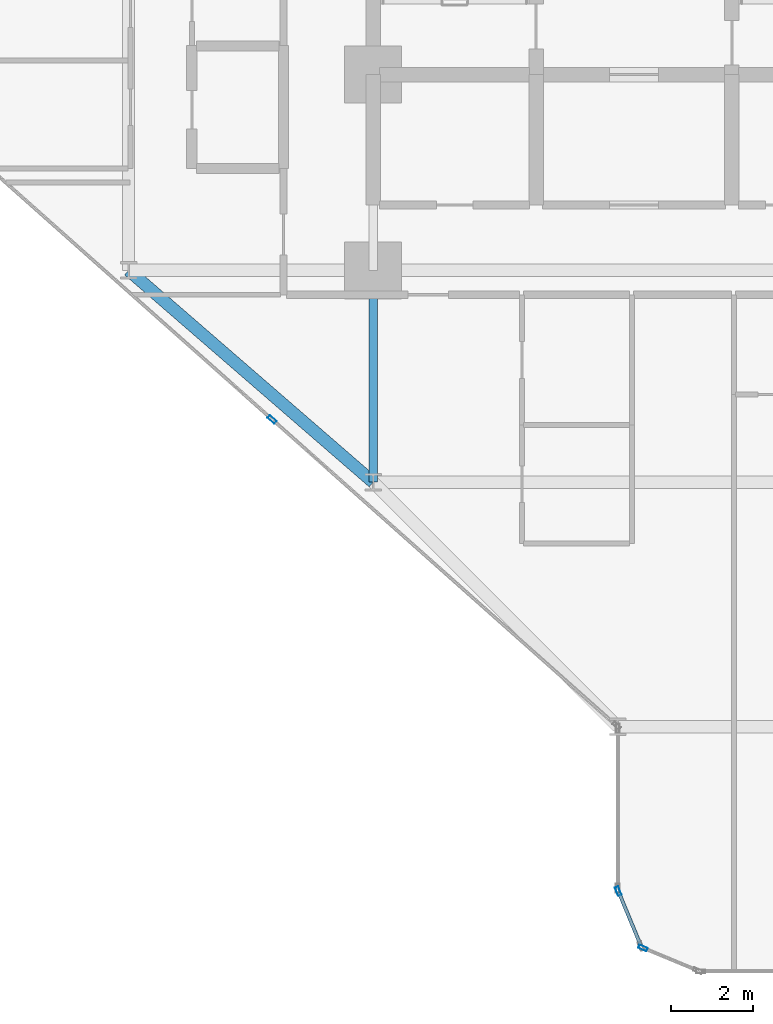
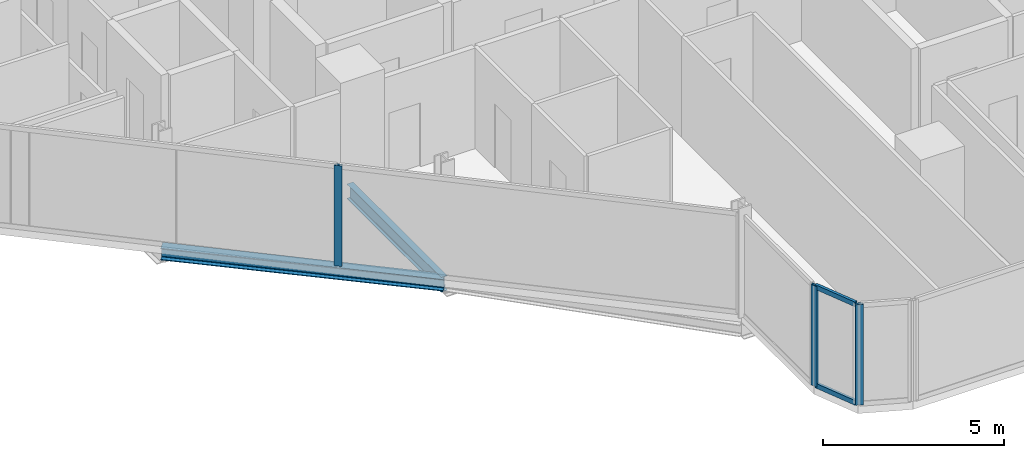
# One storey, part 2 of 33: 5 members, 2 beams, 3 elements without a shape of their own.
"""IFC4 building model written with IfcOpenShell, lengths in metres."""

from ifc_helpers import new_model, si_unit, direction, frame, origin, origin_2d, place, context, subcontext, project, spatial, hollow_rectangle, i_section, extrude, material, layer, layer_set, material_profile, profile_set, type_object, element, aggregate, save


model = new_model("IFC4")

# Units and contexts
model_context = context("Model", 3, precision=1e-05, world=origin(), true_north=direction((0.0, 1.0)))
body_context = subcontext(model_context, "Body", "Model", "MODEL_VIEW")
ifc_project = project(units=[si_unit("LENGTHUNIT", "METRE"), si_unit("AREAUNIT", "SQUARE_METRE"), si_unit("VOLUMEUNIT", "CUBIC_METRE"), si_unit("PLANEANGLEUNIT", "RADIAN"), si_unit("MASSUNIT", "GRAM", prefix="KILO")], contexts=[model_context])

# Site, building, storey
site_placement = place(None, origin())
site = spatial("IfcSite", under=ifc_project, at=site_placement, CompositionType="ELEMENT")
building_placement = place(site_placement, origin())
building = spatial("IfcBuilding", under=site, at=building_placement, Name="Keshet Zoharim Tower", CompositionType="ELEMENT")
storey_placement = place(building_placement, frame((0.0, 0.0, 27.699951171875)))
storey = spatial("IfcBuildingStorey", under=building, at=storey_placement, Name="L05", CompositionType="ELEMENT", Elevation=27.699951171875)

# Beams
ifc_material_1 = material(Name="Steel S355", Category="steel")
ifc_material_profile_1 = material_profile(ifc_material_1, i_section(OverallWidth=0.199951171875, OverallDepth=0.5, WebThickness=0.01025390625, FlangeThickness=0.01611328125, FilletRadius=0.02099609375, at=origin_2d()), Name="IPE500")
ifc_profile_set_1 = profile_set([ifc_material_profile_1], Name="Steel S355")
beam_type_1 = type_object("IfcBeamType", Name="BM-PRI-IP500", PredefinedType="BEAM", material=ifc_profile_set_1)
beam_1_placement = place(storey_placement, frame((15.0, 12.699951171875, -0.56494140625), z_axis=(0.0, 1.0, 0.0), x_axis=(-1.0, 0.0, 0.0)))
element("IfcBeam", 1, at=beam_1_placement, inside=storey, type_object=beam_type_1, Name="L05 Primary Girder Y-002", PredefinedType="BEAM", context=body_context, shape_type="SweptSolid", body=[
    extrude(i_section(OverallWidth=0.199951171875, OverallDepth=0.5, WebThickness=0.01025390625, FlangeThickness=0.01611328125, FilletRadius=0.02099609375, at=origin_2d()), origin(), (0.0, 0.0, 1.0), 5.199951171875),
])
ifc_material_profile_2 = material_profile(ifc_material_1, i_section(OverallWidth=0.300048828125, OverallDepth=0.39990234375, WebThickness=0.013427734375, FlangeThickness=0.02392578125, FilletRadius=0.027099609375, at=origin_2d()), Name="HEB400")
ifc_profile_set_2 = profile_set([ifc_material_profile_2], Name="Steel S355")
beam_type_2 = type_object("IfcBeamType", Name="BM-SPN-HB400", PredefinedType="SPANDREL", material=ifc_profile_set_2)
beam_2_placement = place(storey_placement, frame((9.0, 17.89990234375, -0.514892578125), z_axis=(0.755692126483, -0.654927026447, 0.0), x_axis=(0.654927026447, 0.755692126483, 0.0)))
element("IfcBeam", 2, at=beam_2_placement, inside=storey, type_object=beam_type_2, Name="L05 Perimeter Spandrel Beam 02", PredefinedType="SPANDREL", context=body_context, shape_type="SweptSolid", body=[
    extrude(i_section(OverallWidth=0.300048828125, OverallDepth=0.39990234375, WebThickness=0.013427734375, FlangeThickness=0.02392578125, FilletRadius=0.027099609375, at=origin_2d()), origin(), (0.0, 0.0, 1.0), 7.939697265625),
])

# Curtain wall, member
ifc_material_2 = material(Name="Aluminium 6063-T6", Category="aluminium")
ifc_layer = layer(ifc_material_2, 0.179931640625)
ifc_layer_set = layer_set([ifc_layer], Name="Aluminium 6063-T6")
curtain_wall_type = type_object("IfcCurtainWallType", Name="CW-SYS-01", PredefinedType="NOTDEFINED", material=ifc_layer_set)
curtain_wall_1_placement = place(storey_placement, origin())
curtain_wall_1 = element("IfcCurtainWall", 3, at=curtain_wall_1_placement, inside=storey, type_object=curtain_wall_type, Name="L05 Unitised Curtain Wall 01", PredefinedType="NOTDEFINED")
ifc_material_profile_3 = material_profile(ifc_material_2, hollow_rectangle(XDim=0.090087890625, YDim=0.219970703125, WallThickness=0.0048828125, at=origin_2d()), Name="MUL-90x220")
ifc_profile_set_3 = profile_set([ifc_material_profile_3], Name="Aluminium 6063-T6")
member_type_1 = type_object("IfcMemberType", Name="CWM-M22", PredefinedType="MULLION", material=ifc_profile_set_3)
member_1_placement = place(storey_placement, frame((12.517578125, 14.239990234375, 0.0), z_axis=(0.0, 0.0, 1.0), x_axis=(-0.664363838836, -0.747409318679, 0.0)))
member_1 = element("IfcMember", 4, at=member_1_placement, type_object=member_type_1, Name="CW-01 mullion 2", PredefinedType="MULLION", context=body_context, shape_type="SweptSolid", body=[
    extrude(hollow_rectangle(XDim=0.090087890625, YDim=0.219970703125, WallThickness=0.0048828125, at=origin_2d()), origin(), (0.0, 0.0, 1.0), 3.385009765625),
])
aggregate(curtain_wall_1, [member_1])

curtain_wall_2_placement = place(storey_placement, origin())
curtain_wall_2 = element("IfcCurtainWall", 5, at=curtain_wall_2_placement, inside=storey, type_object=curtain_wall_type, Name="L05 Unitised Curtain Wall 27", PredefinedType="NOTDEFINED")
member_2_placement = place(storey_placement, frame((21.618408203125, 1.272705078125, 0.0), z_axis=(0.0, 0.0, 1.0), x_axis=(-0.382851849847, -0.92380975372, 0.0)))
member_2 = element("IfcMember", 6, at=member_2_placement, type_object=member_type_1, Name="CW-01 mullion 2", PredefinedType="MULLION", context=body_context, shape_type="SweptSolid", body=[
    extrude(hollow_rectangle(XDim=0.090087890625, YDim=0.219970703125, WallThickness=0.0048828125, at=origin_2d()), origin(), (0.0, 0.0, 1.0), 3.385009765625),
])
aggregate(curtain_wall_2, [member_2])

# Curtain wall, members
curtain_wall_3_placement = place(storey_placement, origin())
curtain_wall_3 = element("IfcCurtainWall", 7, at=curtain_wall_3_placement, inside=storey, type_object=curtain_wall_type, Name="L05 Unitised Curtain Wall 28", PredefinedType="NOTDEFINED")
member_3_placement = place(storey_placement, frame((21.013427734375, 2.667724609375, 0.0), z_axis=(0.0, 0.0, 1.0), x_axis=(-0.92380975372, -0.382851849847, 0.0)))
member_3 = element("IfcMember", 8, at=member_3_placement, type_object=member_type_1, Name="CW-01 mullion 2", PredefinedType="MULLION", context=body_context, shape_type="SweptSolid", body=[
    extrude(hollow_rectangle(XDim=0.090087890625, YDim=0.219970703125, WallThickness=0.0048828125, at=origin_2d()), origin(), (0.0, 0.0, 1.0), 3.385009765625),
])
ifc_material_profile_4 = material_profile(ifc_material_2, hollow_rectangle(XDim=0.0849609375, YDim=0.159912109375, WallThickness=0.00439453125, at=origin_2d()), Name="TRN-85x160")
ifc_profile_set_4 = profile_set([ifc_material_profile_4], Name="Aluminium 6063-T6")
member_type_2 = type_object("IfcMemberType", Name="CWT-T16", PredefinedType="USERDEFINED", material=ifc_profile_set_4)
member_4_placement = place(storey_placement, frame((21.55908203125, 1.3505859375, 0.03515625), z_axis=(-0.382744609247, 0.923854189844, 0.0), x_axis=(-0.923854189844, -0.382744609247, 0.0)))
member_4 = element("IfcMember", 9, at=member_4_placement, type_object=member_type_2, Name="CW-01 transom 1.1", ObjectType="TRANSOM", PredefinedType="USERDEFINED", context=body_context, shape_type="SweptSolid", body=[
    extrude(hollow_rectangle(XDim=0.0849609375, YDim=0.159912109375, WallThickness=0.00439453125, at=origin_2d()), origin(), (0.0, 0.0, 1.0), 1.390625),
])
member_5_placement = place(storey_placement, frame((21.55908203125, 1.3505859375, 3.35009765625), z_axis=(-0.382744609247, 0.923854189844, 0.0), x_axis=(-0.923854189844, -0.382744609247, 0.0)))
member_5 = element("IfcMember", 10, at=member_5_placement, type_object=member_type_2, Name="CW-01 transom 1.2", ObjectType="TRANSOM", PredefinedType="USERDEFINED", context=body_context, shape_type="SweptSolid", body=[
    extrude(hollow_rectangle(XDim=0.0849609375, YDim=0.159912109375, WallThickness=0.00439453125, at=origin_2d()), origin(), (0.0, 0.0, 1.0), 1.390625),
])
aggregate(curtain_wall_3, [member_3, member_4, member_5])

save(model, "model.ifc")
